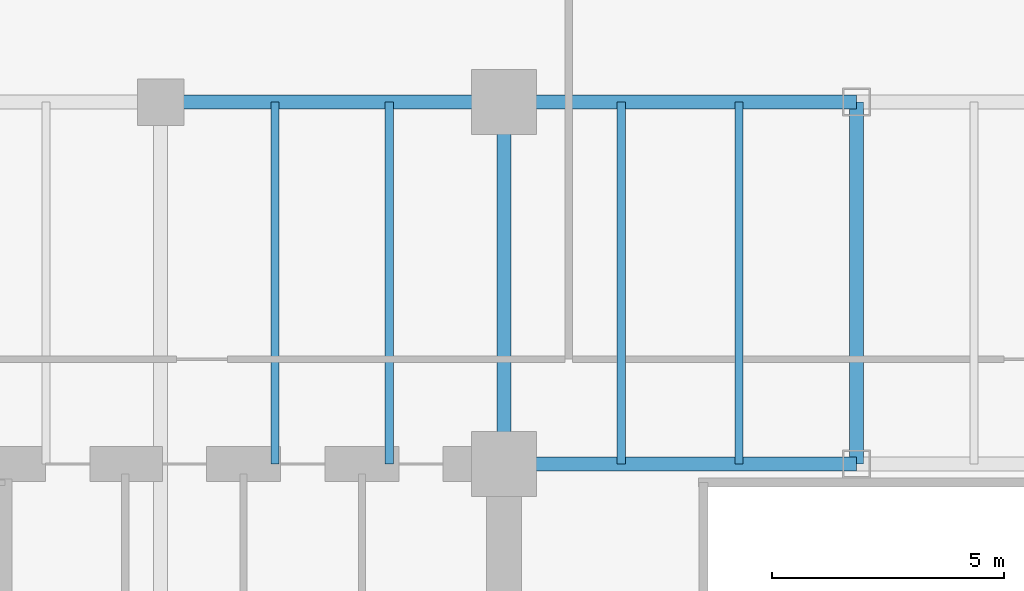
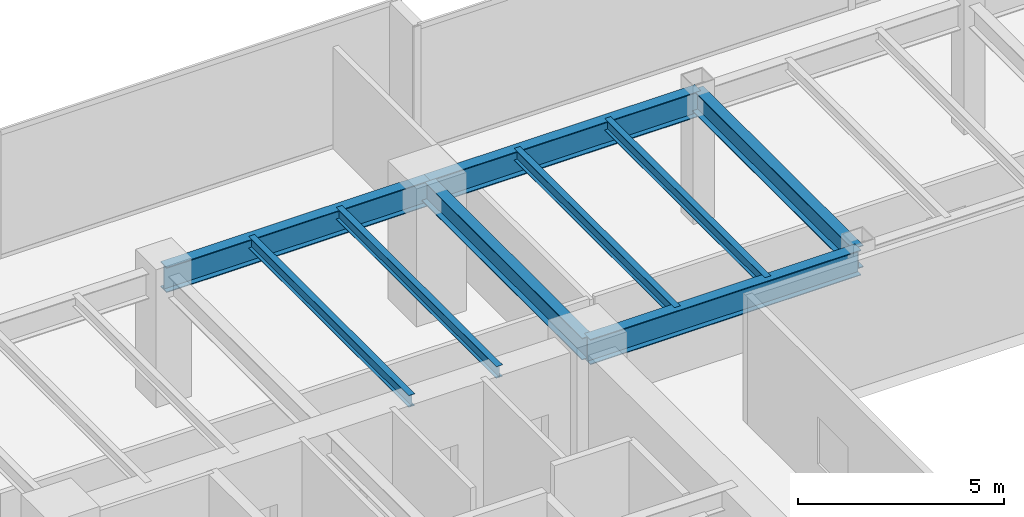
# One storey, part 13 of 35: 9 beams.
"""IFC4 building model written with IfcOpenShell, lengths in metres."""

from ifc_helpers import new_model, si_unit, direction, frame, origin, origin_2d, place, context, subcontext, project, spatial, i_section, extrude, source, transform, mapped, material, material_profile, profile_set, type_object, type_shapes, element, save


model = new_model("IFC4")

# Units and contexts
model_context = context("Model", 3, precision=1e-05, world=origin(), true_north=direction((0.0, 1.0)))
body_context = subcontext(model_context, "Body", "Model", "MODEL_VIEW")
ifc_project = project(units=[si_unit("LENGTHUNIT", "METRE"), si_unit("AREAUNIT", "SQUARE_METRE"), si_unit("VOLUMEUNIT", "CUBIC_METRE"), si_unit("PLANEANGLEUNIT", "RADIAN"), si_unit("MASSUNIT", "GRAM", prefix="KILO")], contexts=[model_context])

# Site, building, storey
site_placement = place(None, origin())
site = spatial("IfcSite", under=ifc_project, at=site_placement, CompositionType="ELEMENT")
building_placement = place(site_placement, origin())
building = spatial("IfcBuilding", under=site, at=building_placement, Name="Haelvirn Gate Laboratories", CompositionType="ELEMENT")
storey_placement = place(building_placement, frame((0.0, 0.0, 82.60009765625)))
storey = spatial("IfcBuildingStorey", under=building, at=storey_placement, Name="L20", CompositionType="ELEMENT", Elevation=82.60009765625)

# Beams
ifc_material = material(Name="Steel SM355", Category="steel")
ifc_material_profile_1 = material_profile(ifc_material, i_section(OverallWidth=0.300048828125, OverallDepth=0.75, WebThickness=0.013916015625, FlangeThickness=0.02392578125, at=origin_2d()), Name="H-750x300x14x24")
ifc_profile_set_1 = profile_set([ifc_material_profile_1], Name="Steel SM355")
beam_type_1 = type_object("IfcBeamType", Name="BM-G-750", PredefinedType="BEAM", material=ifc_profile_set_1)
shared_shape_1 = source(origin(), body_context, "Body", "SweptSolid", [
    extrude(i_section(OverallWidth=0.300048828125, OverallDepth=0.75, WebThickness=0.013916015625, FlangeThickness=0.02392578125, at=origin_2d()), origin(), (0.0, 0.0, 1.0), 7.39990234375),
])
beam_placement = place(storey_placement, frame((14.800048828125, 41.60009765625, 3.40478515625), z_axis=(1.0, 0.0, 0.0), x_axis=(0.0, 1.0, 0.0)))
element("IfcBeam", 1, at=beam_placement, inside=storey, type_object=beam_type_1, Name="L20 Primary Girder Y41.6 (14.8-22.2)", PredefinedType="BEAM", context=body_context, shape_type="MappedRepresentation", body=[
    mapped(shared_shape_1, transform((0.0, 0.0, 0.0), scale=1.0)),
])
shared_shape_2 = source(origin(), body_context, "Body", "SweptSolid", [
    extrude(i_section(OverallWidth=0.300048828125, OverallDepth=0.75, WebThickness=0.013916015625, FlangeThickness=0.02392578125, at=origin_2d()), origin(), (0.0, 0.0, 1.0), 7.60009765625),
])
type_shapes(beam_type_1, [shared_shape_1, shared_shape_2])
for number, where, z_axis, x_axis, name in (
    (2, (22.199951171875, 33.800048828125, 3.40478515625), (1.0, 0.0, 0.0), (0.0, 1.0, 0.0), "L20 Primary Girder Y33.8 (22.2-29.8)"),
    (3, (22.199951171875, 41.60009765625, 3.40478515625), (1.0, 0.0, 0.0), (0.0, 1.0, 0.0), "L20 Primary Girder Y41.6 (22.2-29.8)"),
):
    element("IfcBeam", number, at=place(storey_placement, frame(where, z_axis=z_axis, x_axis=x_axis)), inside=storey, type_object=beam_type_1, Name=name, PredefinedType="BEAM", context=body_context, shape_type="MappedRepresentation", body=[
        mapped(shared_shape_2, transform((0.0, 0.0, 0.0), scale=1.0)),
    ])
ifc_material_profile_2 = material_profile(ifc_material, i_section(OverallWidth=0.175048828125, OverallDepth=0.35009765625, WebThickness=0.007080078125, FlangeThickness=0.010986328125, at=origin_2d()), Name="H-350x175x7x11")
ifc_profile_set_2 = profile_set([ifc_material_profile_2], Name="Steel SM355")
beam_type_2 = type_object("IfcBeamType", Name="BM-J-350", PredefinedType="JOIST", material=ifc_profile_set_2)
shared_shape_3 = source(origin(), body_context, "Body", "SweptSolid", [
    extrude(i_section(OverallWidth=0.175048828125, OverallDepth=0.35009765625, WebThickness=0.007080078125, FlangeThickness=0.010986328125, at=origin_2d()), origin(), (0.0, 0.0, 1.0), 7.800048828125),
])
type_shapes(beam_type_2, [shared_shape_3])
for number, where, z_axis, x_axis, name in (
    (4, (17.27001953125, 33.800048828125, 3.60498046875), (0.0, 1.0, 0.0), (-1.0, 0.0, 0.0), "L20 Composite Lab Joist North X17.27"),
    (5, (19.72998046875, 33.800048828125, 3.60498046875), (0.0, 1.0, 0.0), (-1.0, 0.0, 0.0), "L20 Composite Lab Joist North X19.73"),
    (6, (24.72998046875, 33.800048828125, 3.60498046875), (0.0, 1.0, 0.0), (-1.0, 0.0, 0.0), "L20 Composite Lab Joist North X24.73"),
    (7, (27.27001953125, 33.800048828125, 3.60498046875), (0.0, 1.0, 0.0), (-1.0, 0.0, 0.0), "L20 Composite Lab Joist North X27.27"),
):
    element("IfcBeam", number, at=place(storey_placement, frame(where, z_axis=z_axis, x_axis=x_axis)), inside=storey, type_object=beam_type_2, Name=name, PredefinedType="JOIST", context=body_context, shape_type="MappedRepresentation", body=[
        mapped(shared_shape_3, transform((0.0, 0.0, 0.0), scale=1.0)),
    ])
ifc_material_profile_3 = material_profile(ifc_material, i_section(OverallWidth=0.300048828125, OverallDepth=0.64990234375, WebThickness=0.012939453125, FlangeThickness=0.02197265625, at=origin_2d()), Name="H-650x300x13x22")
ifc_profile_set_3 = profile_set([ifc_material_profile_3], Name="Steel SM355")
beam_type_3 = type_object("IfcBeamType", Name="BM-G-650", PredefinedType="BEAM", material=ifc_profile_set_3)
shared_shape_4 = source(origin(), body_context, "Body", "SweptSolid", [
    extrude(i_section(OverallWidth=0.300048828125, OverallDepth=0.64990234375, WebThickness=0.012939453125, FlangeThickness=0.02197265625, at=origin_2d()), origin(), (0.0, 0.0, 1.0), 7.800048828125),
])
type_shapes(beam_type_3, [shared_shape_4])
for number, where, z_axis, x_axis, name in (
    (8, (22.199951171875, 33.800048828125, 3.454833984375), (0.0, 1.0, 0.0), (-1.0, 0.0, 0.0), "L20 Frame Girder X22.2 (33.8-41.6)"),
    (9, (29.800048828125, 33.800048828125, 3.454833984375), (0.0, 1.0, 0.0), (-1.0, 0.0, 0.0), "L20 Frame Girder X29.8 (33.8-41.6)"),
):
    element("IfcBeam", number, at=place(storey_placement, frame(where, z_axis=z_axis, x_axis=x_axis)), inside=storey, type_object=beam_type_3, Name=name, PredefinedType="BEAM", context=body_context, shape_type="MappedRepresentation", body=[
        mapped(shared_shape_4, transform((0.0, 0.0, 0.0), scale=1.0)),
    ])

save(model, "model.ifc")
